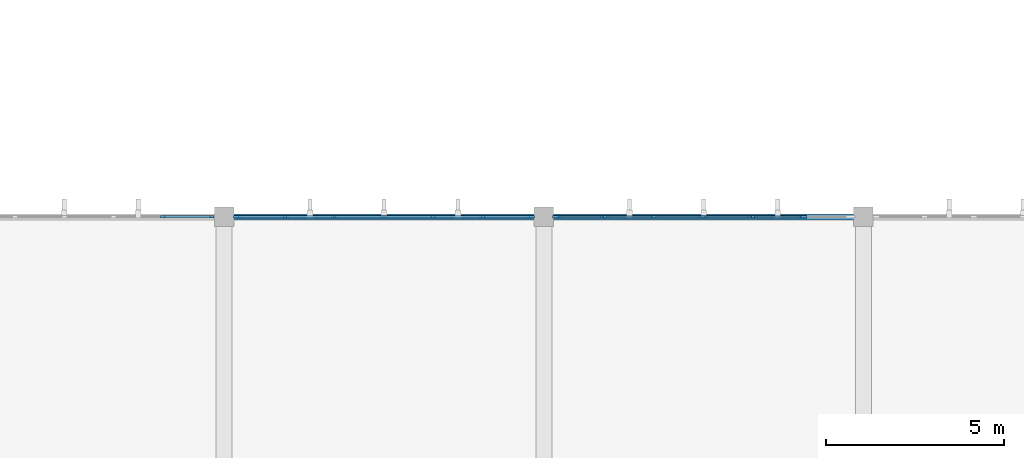
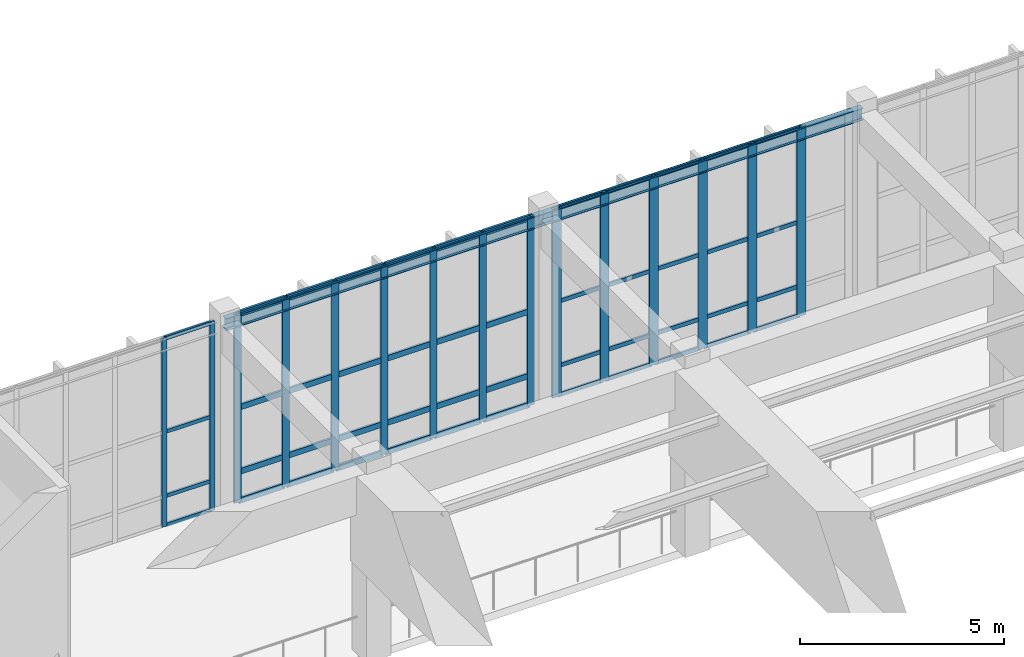
# One storey, part 42 of 105: 63 members, 2 beams, 3 elements without a shape of their own.
"""IFC4 building model written with IfcOpenShell, lengths in metres."""

from ifc_helpers import new_model, si_unit, direction, frame, origin, origin_2d, place, context, subcontext, project, spatial, rectangle, i_section, extrude, material, material_profile, profile_set, type_object, element, aggregate, save


model = new_model("IFC4")

# Units and contexts
model_context = context("Model", 3, precision=1e-05, world=origin(), true_north=direction((0.0, 1.0)))
body_context = subcontext(model_context, "Body", "Model", "MODEL_VIEW")
ifc_project = project(units=[si_unit("LENGTHUNIT", "METRE"), si_unit("AREAUNIT", "SQUARE_METRE"), si_unit("VOLUMEUNIT", "CUBIC_METRE"), si_unit("PLANEANGLEUNIT", "RADIAN"), si_unit("MASSUNIT", "GRAM", prefix="KILO")], contexts=[model_context])

# Site, building, storey
site_placement = place(None, origin())
site = spatial("IfcSite", under=ifc_project, at=site_placement, CompositionType="ELEMENT")
building_placement = place(site_placement, origin())
building = spatial("IfcBuilding", under=site, at=building_placement, Name="Tizgana Railside Sports Hall", CompositionType="ELEMENT")
storey_placement = place(building_placement, frame((0.0, 0.0, 6.0)))
storey = spatial("IfcBuildingStorey", under=building, at=storey_placement, Name="L01", CompositionType="ELEMENT", Elevation=6.0)

# Curtain wall, members
ifc_material_1 = material(Name="Anodised aluminium and glass", Category="aluminium")
curtain_wall_type_1 = type_object("IfcCurtainWallType", Name="Unitised Curtain Wall Studio 1400", PredefinedType="NOTDEFINED", material=ifc_material_1)
curtain_wall_1_placement = place(storey_placement, origin())
curtain_wall_1 = element("IfcCurtainWall", 1, at=curtain_wall_1_placement, inside=storey, type_object=curtain_wall_type_1, Name="L01 Curtain Wall CW-0018", PredefinedType="NOTDEFINED")
ifc_material_2 = material(Name="Anodised aluminium", Category="aluminium")
ifc_material_profile_1 = material_profile(ifc_material_2, rectangle(XDim=0.06005859375, YDim=0.139892578125, at=origin_2d()), Name="Mullion 60x140")
ifc_profile_set_1 = profile_set([ifc_material_profile_1], Name="Anodised aluminium")
member_type_1 = type_object("IfcMemberType", Name="Mullion 60x140", PredefinedType="MULLION", material=ifc_profile_set_1)
member_1_placement = place(storey_placement, frame((96.080078125, 80.39990234375, 0.0), z_axis=(0.0, 0.0, 1.0), x_axis=(0.0, 1.0, 0.0)))
member_1 = element("IfcMember", 2, at=member_1_placement, type_object=member_type_1, Name="CW-03 mullion 6", PredefinedType="MULLION", context=body_context, shape_type="SweptSolid", body=[
    extrude(rectangle(XDim=0.06005859375, YDim=0.139892578125, at=origin_2d()), origin(), (0.0, 0.0, 1.0), 5.639892578125),
])
member_2_placement = place(storey_placement, frame((97.43994140625, 80.39990234375, 0.0), z_axis=(0.0, 0.0, 1.0), x_axis=(0.0, 1.0, 0.0)))
member_2 = element("IfcMember", 3, at=member_2_placement, type_object=member_type_1, Name="CW-03 mullion 7", PredefinedType="MULLION", context=body_context, shape_type="SweptSolid", body=[
    extrude(rectangle(XDim=0.06005859375, YDim=0.139892578125, at=origin_2d()), origin(), (0.0, 0.0, 1.0), 5.639892578125),
])

curtain_wall_type_2 = type_object("IfcCurtainWallType", Name="Unitised Curtain Wall Passage 1800", PredefinedType="NOTDEFINED", material=ifc_material_1)
curtain_wall_2_placement = place(storey_placement, origin())
curtain_wall_2 = element("IfcCurtainWall", 4, at=curtain_wall_2_placement, inside=storey, type_object=curtain_wall_type_2, Name="L01 Curtain Wall CW-0021", PredefinedType="NOTDEFINED")
ifc_material_profile_2 = material_profile(ifc_material_2, rectangle(XDim=0.06494140625, YDim=0.199951171875, at=origin_2d()), Name="Mullion 65x200")
ifc_profile_set_2 = profile_set([ifc_material_profile_2], Name="Anodised aluminium")
member_type_2 = type_object("IfcMemberType", Name="Mullion 65x200", PredefinedType="MULLION", material=ifc_profile_set_2)
member_3_placement = place(storey_placement, frame((98.16259765625, 80.39990234375, 0.0), z_axis=(0.0, 0.0, 1.0), x_axis=(0.0, 1.0, 0.0)))
member_3 = element("IfcMember", 5, at=member_3_placement, type_object=member_type_2, Name="CW-06 mullion 1", PredefinedType="MULLION", context=body_context, shape_type="SweptSolid", body=[
    extrude(rectangle(XDim=0.06494140625, YDim=0.199951171875, at=origin_2d()), origin(), (0.0, 0.0, 1.0), 5.639892578125),
])
member_4_placement = place(storey_placement, frame((99.52001953125, 80.39990234375, 0.0), z_axis=(0.0, 0.0, 1.0), x_axis=(0.0, 1.0, 0.0)))
member_4 = element("IfcMember", 6, at=member_4_placement, type_object=member_type_2, Name="CW-06 mullion 2", PredefinedType="MULLION", context=body_context, shape_type="SweptSolid", body=[
    extrude(rectangle(XDim=0.06494140625, YDim=0.199951171875, at=origin_2d()), origin(), (0.0, 0.0, 1.0), 5.639892578125),
])
member_5_placement = place(storey_placement, frame((100.909912109375, 80.39990234375, 0.0), z_axis=(0.0, 0.0, 1.0), x_axis=(0.0, 1.0, 0.0)))
member_5 = element("IfcMember", 7, at=member_5_placement, type_object=member_type_2, Name="CW-06 mullion 3", PredefinedType="MULLION", context=body_context, shape_type="SweptSolid", body=[
    extrude(rectangle(XDim=0.06494140625, YDim=0.199951171875, at=origin_2d()), origin(), (0.0, 0.0, 1.0), 5.639892578125),
])
member_6_placement = place(storey_placement, frame((102.300048828125, 80.39990234375, 0.0), z_axis=(0.0, 0.0, 1.0), x_axis=(0.0, 1.0, 0.0)))
member_6 = element("IfcMember", 8, at=member_6_placement, type_object=member_type_2, Name="CW-06 mullion 4", PredefinedType="MULLION", context=body_context, shape_type="SweptSolid", body=[
    extrude(rectangle(XDim=0.06494140625, YDim=0.199951171875, at=origin_2d()), origin(), (0.0, 0.0, 1.0), 5.639892578125),
])
member_7_placement = place(storey_placement, frame((103.68994140625, 80.39990234375, 0.0), z_axis=(0.0, 0.0, 1.0), x_axis=(0.0, 1.0, 0.0)))
member_7 = element("IfcMember", 9, at=member_7_placement, type_object=member_type_2, Name="CW-06 mullion 5", PredefinedType="MULLION", context=body_context, shape_type="SweptSolid", body=[
    extrude(rectangle(XDim=0.06494140625, YDim=0.199951171875, at=origin_2d()), origin(), (0.0, 0.0, 1.0), 5.639892578125),
])
member_8_placement = place(storey_placement, frame((105.080078125, 80.39990234375, 0.0), z_axis=(0.0, 0.0, 1.0), x_axis=(0.0, 1.0, 0.0)))
member_8 = element("IfcMember", 10, at=member_8_placement, type_object=member_type_2, Name="CW-06 mullion 6", PredefinedType="MULLION", context=body_context, shape_type="SweptSolid", body=[
    extrude(rectangle(XDim=0.06494140625, YDim=0.199951171875, at=origin_2d()), origin(), (0.0, 0.0, 1.0), 5.639892578125),
])
member_9_placement = place(storey_placement, frame((106.4375, 80.39990234375, 0.0), z_axis=(0.0, 0.0, 1.0), x_axis=(0.0, 1.0, 0.0)))
member_9 = element("IfcMember", 11, at=member_9_placement, type_object=member_type_2, Name="CW-06 mullion 7", PredefinedType="MULLION", context=body_context, shape_type="SweptSolid", body=[
    extrude(rectangle(XDim=0.06494140625, YDim=0.199951171875, at=origin_2d()), origin(), (0.0, 0.0, 1.0), 5.639892578125),
])

curtain_wall_type_3 = type_object("IfcCurtainWallType", Name="Unitised Curtain Wall EastHall 1500", PredefinedType="NOTDEFINED", material=ifc_material_1)
curtain_wall_3_placement = place(storey_placement, origin())
curtain_wall_3 = element("IfcCurtainWall", 12, at=curtain_wall_3_placement, inside=storey, type_object=curtain_wall_type_3, Name="L01 Curtain Wall CW-0023", PredefinedType="NOTDEFINED")
ifc_material_profile_3 = material_profile(ifc_material_2, rectangle(XDim=0.074951171875, YDim=0.25, at=origin_2d()), Name="Mullion 75x250")
ifc_profile_set_3 = profile_set([ifc_material_profile_3], Name="Anodised aluminium")
member_type_3 = type_object("IfcMemberType", Name="Mullion 75x250", PredefinedType="MULLION", material=ifc_profile_set_3)
member_10_placement = place(storey_placement, frame((107.16748046875, 80.39990234375, 0.0), z_axis=(0.0, 0.0, 1.0), x_axis=(0.0, 1.0, 0.0)))
member_10 = element("IfcMember", 13, at=member_10_placement, type_object=member_type_3, Name="CW-08 mullion 1", PredefinedType="MULLION", context=body_context, shape_type="SweptSolid", body=[
    extrude(rectangle(XDim=0.074951171875, YDim=0.25, at=origin_2d()), origin(), (0.0, 0.0, 1.0), 5.639892578125),
])
member_11_placement = place(storey_placement, frame((108.52001953125, 80.39990234375, 0.0), z_axis=(0.0, 0.0, 1.0), x_axis=(0.0, 1.0, 0.0)))
member_11 = element("IfcMember", 14, at=member_11_placement, type_object=member_type_3, Name="CW-08 mullion 2", PredefinedType="MULLION", context=body_context, shape_type="SweptSolid", body=[
    extrude(rectangle(XDim=0.074951171875, YDim=0.25, at=origin_2d()), origin(), (0.0, 0.0, 1.0), 5.639892578125),
])
member_12_placement = place(storey_placement, frame((109.909912109375, 80.39990234375, 0.0), z_axis=(0.0, 0.0, 1.0), x_axis=(0.0, 1.0, 0.0)))
member_12 = element("IfcMember", 15, at=member_12_placement, type_object=member_type_3, Name="CW-08 mullion 3", PredefinedType="MULLION", context=body_context, shape_type="SweptSolid", body=[
    extrude(rectangle(XDim=0.074951171875, YDim=0.25, at=origin_2d()), origin(), (0.0, 0.0, 1.0), 5.639892578125),
])
member_13_placement = place(storey_placement, frame((111.300048828125, 80.39990234375, 0.0), z_axis=(0.0, 0.0, 1.0), x_axis=(0.0, 1.0, 0.0)))
member_13 = element("IfcMember", 16, at=member_13_placement, type_object=member_type_3, Name="CW-08 mullion 4", PredefinedType="MULLION", context=body_context, shape_type="SweptSolid", body=[
    extrude(rectangle(XDim=0.074951171875, YDim=0.25, at=origin_2d()), origin(), (0.0, 0.0, 1.0), 5.639892578125),
])
member_14_placement = place(storey_placement, frame((112.68994140625, 80.39990234375, 0.0), z_axis=(0.0, 0.0, 1.0), x_axis=(0.0, 1.0, 0.0)))
member_14 = element("IfcMember", 17, at=member_14_placement, type_object=member_type_3, Name="CW-08 mullion 5", PredefinedType="MULLION", context=body_context, shape_type="SweptSolid", body=[
    extrude(rectangle(XDim=0.074951171875, YDim=0.25, at=origin_2d()), origin(), (0.0, 0.0, 1.0), 5.639892578125),
])
member_15_placement = place(storey_placement, frame((114.080078125, 80.39990234375, 0.0), z_axis=(0.0, 0.0, 1.0), x_axis=(0.0, 1.0, 0.0)))
member_15 = element("IfcMember", 18, at=member_15_placement, type_object=member_type_3, Name="CW-08 mullion 6", PredefinedType="MULLION", context=body_context, shape_type="SweptSolid", body=[
    extrude(rectangle(XDim=0.074951171875, YDim=0.25, at=origin_2d()), origin(), (0.0, 0.0, 1.0), 5.639892578125),
])

# Beams
ifc_material_3 = material(Name="Steel S355J2", Category="steel")
ifc_material_profile_4 = material_profile(ifc_material_3, i_section(OverallWidth=0.169921875, OverallDepth=0.360107421875, WebThickness=0.008056640625, FlangeThickness=0.0126953125, FilletRadius=0.01806640625, at=origin_2d()), Name="IPE 360")
ifc_profile_set_4 = profile_set([ifc_material_profile_4], Name="Steel S355J2")
beam_type = type_object("IfcBeamType", Name="Steel Joist IPE 360", PredefinedType="JOIST", material=ifc_profile_set_4)
for number, where, z_axis, x_axis, name in (
    (19, (97.800048828125, 80.39990234375, 5.4560546875), (1.0, 0.0, 0.0), (0.0, 1.0, 0.0), "L01 BEM-0291"),
    (20, (106.800048828125, 80.39990234375, 5.4560546875), (1.0, 0.0, 0.0), (0.0, 1.0, 0.0), "L01 BEM-0303"),
):
    element("IfcBeam", number, at=place(storey_placement, frame(where, z_axis=z_axis, x_axis=x_axis)), inside=storey, type_object=beam_type, Name=name, PredefinedType="JOIST", context=body_context, shape_type="SweptSolid", body=[
        extrude(i_section(OverallWidth=0.169921875, OverallDepth=0.360107421875, WebThickness=0.008056640625, FlangeThickness=0.0126953125, FilletRadius=0.01806640625, at=origin_2d()), origin(), (0.0, 0.0, 1.0), 9.0),
    ])

# Member
ifc_material_profile_5 = material_profile(ifc_material_2, rectangle(XDim=0.054931640625, YDim=0.1201171875, at=origin_2d()), Name="Transom 55x120")
ifc_profile_set_5 = profile_set([ifc_material_profile_5], Name="Anodised aluminium")
member_type_4 = type_object("IfcMemberType", Name="Transom 55x120", PredefinedType="USERDEFINED", material=ifc_profile_set_5)
member_16_placement = place(storey_placement, frame((107.205078125, 80.39990234375, 0.027587890625), z_axis=(1.0, 0.0, 0.0), x_axis=(0.0, 1.0, 0.0)))
member_16 = element("IfcMember", 21, at=member_16_placement, type_object=member_type_4, Name="CW-08 transom 1.1", ObjectType="TRANSOM", PredefinedType="USERDEFINED", context=body_context, shape_type="SweptSolid", body=[
    extrude(rectangle(XDim=0.054931640625, YDim=0.1201171875, at=origin_2d()), origin(), (0.0, 0.0, 1.0), 1.27734375),
])

member_17_placement = place(storey_placement, frame((107.205078125, 80.39990234375, 0.89990234375), z_axis=(1.0, 0.0, 0.0), x_axis=(0.0, 1.0, 0.0)))
member_17 = element("IfcMember", 22, at=member_17_placement, type_object=member_type_4, Name="CW-08 transom 1.2", ObjectType="TRANSOM", PredefinedType="USERDEFINED", context=body_context, shape_type="SweptSolid", body=[
    extrude(rectangle(XDim=0.054931640625, YDim=0.1201171875, at=origin_2d()), origin(), (0.0, 0.0, 1.0), 1.27734375),
])

member_18_placement = place(storey_placement, frame((107.205078125, 80.39990234375, 2.820068359375), z_axis=(1.0, 0.0, 0.0), x_axis=(0.0, 1.0, 0.0)))
member_18 = element("IfcMember", 23, at=member_18_placement, type_object=member_type_4, Name="CW-08 transom 1.3", ObjectType="TRANSOM", PredefinedType="USERDEFINED", context=body_context, shape_type="SweptSolid", body=[
    extrude(rectangle(XDim=0.054931640625, YDim=0.1201171875, at=origin_2d()), origin(), (0.0, 0.0, 1.0), 1.27734375),
])

member_19_placement = place(storey_placement, frame((107.205078125, 80.39990234375, 5.612548828125), z_axis=(1.0, 0.0, 0.0), x_axis=(0.0, 1.0, 0.0)))
member_19 = element("IfcMember", 24, at=member_19_placement, type_object=member_type_4, Name="CW-08 transom 1.4", ObjectType="TRANSOM", PredefinedType="USERDEFINED", context=body_context, shape_type="SweptSolid", body=[
    extrude(rectangle(XDim=0.054931640625, YDim=0.1201171875, at=origin_2d()), origin(), (0.0, 0.0, 1.0), 1.27734375),
])

member_20_placement = place(storey_placement, frame((108.5576171875, 80.39990234375, 0.027587890625), z_axis=(1.0, 0.0, 0.0), x_axis=(0.0, 1.0, 0.0)))
member_20 = element("IfcMember", 25, at=member_20_placement, type_object=member_type_4, Name="CW-08 transom 2.1", ObjectType="TRANSOM", PredefinedType="USERDEFINED", context=body_context, shape_type="SweptSolid", body=[
    extrude(rectangle(XDim=0.054931640625, YDim=0.1201171875, at=origin_2d()), origin(), (0.0, 0.0, 1.0), 1.31494140625),
])

member_21_placement = place(storey_placement, frame((108.5576171875, 80.39990234375, 0.89990234375), z_axis=(1.0, 0.0, 0.0), x_axis=(0.0, 1.0, 0.0)))
member_21 = element("IfcMember", 26, at=member_21_placement, type_object=member_type_4, Name="CW-08 transom 2.2", ObjectType="TRANSOM", PredefinedType="USERDEFINED", context=body_context, shape_type="SweptSolid", body=[
    extrude(rectangle(XDim=0.054931640625, YDim=0.1201171875, at=origin_2d()), origin(), (0.0, 0.0, 1.0), 1.31494140625),
])

member_22_placement = place(storey_placement, frame((108.5576171875, 80.39990234375, 2.820068359375), z_axis=(1.0, 0.0, 0.0), x_axis=(0.0, 1.0, 0.0)))
member_22 = element("IfcMember", 27, at=member_22_placement, type_object=member_type_4, Name="CW-08 transom 2.3", ObjectType="TRANSOM", PredefinedType="USERDEFINED", context=body_context, shape_type="SweptSolid", body=[
    extrude(rectangle(XDim=0.054931640625, YDim=0.1201171875, at=origin_2d()), origin(), (0.0, 0.0, 1.0), 1.31494140625),
])

member_23_placement = place(storey_placement, frame((108.5576171875, 80.39990234375, 5.612548828125), z_axis=(1.0, 0.0, 0.0), x_axis=(0.0, 1.0, 0.0)))
member_23 = element("IfcMember", 28, at=member_23_placement, type_object=member_type_4, Name="CW-08 transom 2.4", ObjectType="TRANSOM", PredefinedType="USERDEFINED", context=body_context, shape_type="SweptSolid", body=[
    extrude(rectangle(XDim=0.054931640625, YDim=0.1201171875, at=origin_2d()), origin(), (0.0, 0.0, 1.0), 1.31494140625),
])

member_24_placement = place(storey_placement, frame((109.947509765625, 80.39990234375, 0.027587890625), z_axis=(1.0, 0.0, 0.0), x_axis=(0.0, 1.0, 0.0)))
member_24 = element("IfcMember", 29, at=member_24_placement, type_object=member_type_4, Name="CW-08 transom 3.1", ObjectType="TRANSOM", PredefinedType="USERDEFINED", context=body_context, shape_type="SweptSolid", body=[
    extrude(rectangle(XDim=0.054931640625, YDim=0.1201171875, at=origin_2d()), origin(), (0.0, 0.0, 1.0), 1.31494140625),
])

member_25_placement = place(storey_placement, frame((109.947509765625, 80.39990234375, 0.89990234375), z_axis=(1.0, 0.0, 0.0), x_axis=(0.0, 1.0, 0.0)))
member_25 = element("IfcMember", 30, at=member_25_placement, type_object=member_type_4, Name="CW-08 transom 3.2", ObjectType="TRANSOM", PredefinedType="USERDEFINED", context=body_context, shape_type="SweptSolid", body=[
    extrude(rectangle(XDim=0.054931640625, YDim=0.1201171875, at=origin_2d()), origin(), (0.0, 0.0, 1.0), 1.31494140625),
])

member_26_placement = place(storey_placement, frame((109.947509765625, 80.39990234375, 2.820068359375), z_axis=(1.0, 0.0, 0.0), x_axis=(0.0, 1.0, 0.0)))
member_26 = element("IfcMember", 31, at=member_26_placement, type_object=member_type_4, Name="CW-08 transom 3.3", ObjectType="TRANSOM", PredefinedType="USERDEFINED", context=body_context, shape_type="SweptSolid", body=[
    extrude(rectangle(XDim=0.054931640625, YDim=0.1201171875, at=origin_2d()), origin(), (0.0, 0.0, 1.0), 1.31494140625),
])

member_27_placement = place(storey_placement, frame((109.947509765625, 80.39990234375, 5.612548828125), z_axis=(1.0, 0.0, 0.0), x_axis=(0.0, 1.0, 0.0)))
member_27 = element("IfcMember", 32, at=member_27_placement, type_object=member_type_4, Name="CW-08 transom 3.4", ObjectType="TRANSOM", PredefinedType="USERDEFINED", context=body_context, shape_type="SweptSolid", body=[
    extrude(rectangle(XDim=0.054931640625, YDim=0.1201171875, at=origin_2d()), origin(), (0.0, 0.0, 1.0), 1.31494140625),
])

member_28_placement = place(storey_placement, frame((111.33740234375, 80.39990234375, 0.027587890625), z_axis=(1.0, 0.0, 0.0), x_axis=(0.0, 1.0, 0.0)))
member_28 = element("IfcMember", 33, at=member_28_placement, type_object=member_type_4, Name="CW-08 transom 4.1", ObjectType="TRANSOM", PredefinedType="USERDEFINED", context=body_context, shape_type="SweptSolid", body=[
    extrude(rectangle(XDim=0.054931640625, YDim=0.1201171875, at=origin_2d()), origin(), (0.0, 0.0, 1.0), 1.315185546875),
])

member_29_placement = place(storey_placement, frame((111.33740234375, 80.39990234375, 0.89990234375), z_axis=(1.0, 0.0, 0.0), x_axis=(0.0, 1.0, 0.0)))
member_29 = element("IfcMember", 34, at=member_29_placement, type_object=member_type_4, Name="CW-08 transom 4.2", ObjectType="TRANSOM", PredefinedType="USERDEFINED", context=body_context, shape_type="SweptSolid", body=[
    extrude(rectangle(XDim=0.054931640625, YDim=0.1201171875, at=origin_2d()), origin(), (0.0, 0.0, 1.0), 1.315185546875),
])

member_30_placement = place(storey_placement, frame((111.33740234375, 80.39990234375, 2.820068359375), z_axis=(1.0, 0.0, 0.0), x_axis=(0.0, 1.0, 0.0)))
member_30 = element("IfcMember", 35, at=member_30_placement, type_object=member_type_4, Name="CW-08 transom 4.3", ObjectType="TRANSOM", PredefinedType="USERDEFINED", context=body_context, shape_type="SweptSolid", body=[
    extrude(rectangle(XDim=0.054931640625, YDim=0.1201171875, at=origin_2d()), origin(), (0.0, 0.0, 1.0), 1.315185546875),
])

member_31_placement = place(storey_placement, frame((111.33740234375, 80.39990234375, 5.612548828125), z_axis=(1.0, 0.0, 0.0), x_axis=(0.0, 1.0, 0.0)))
member_31 = element("IfcMember", 36, at=member_31_placement, type_object=member_type_4, Name="CW-08 transom 4.4", ObjectType="TRANSOM", PredefinedType="USERDEFINED", context=body_context, shape_type="SweptSolid", body=[
    extrude(rectangle(XDim=0.054931640625, YDim=0.1201171875, at=origin_2d()), origin(), (0.0, 0.0, 1.0), 1.315185546875),
])

member_32_placement = place(storey_placement, frame((112.7275390625, 80.39990234375, 0.027587890625), z_axis=(1.0, 0.0, 0.0), x_axis=(0.0, 1.0, 0.0)))
member_32 = element("IfcMember", 37, at=member_32_placement, type_object=member_type_4, Name="CW-08 transom 5.1", ObjectType="TRANSOM", PredefinedType="USERDEFINED", context=body_context, shape_type="SweptSolid", body=[
    extrude(rectangle(XDim=0.054931640625, YDim=0.1201171875, at=origin_2d()), origin(), (0.0, 0.0, 1.0), 1.31494140625),
])

member_33_placement = place(storey_placement, frame((112.7275390625, 80.39990234375, 0.89990234375), z_axis=(1.0, 0.0, 0.0), x_axis=(0.0, 1.0, 0.0)))
member_33 = element("IfcMember", 38, at=member_33_placement, type_object=member_type_4, Name="CW-08 transom 5.2", ObjectType="TRANSOM", PredefinedType="USERDEFINED", context=body_context, shape_type="SweptSolid", body=[
    extrude(rectangle(XDim=0.054931640625, YDim=0.1201171875, at=origin_2d()), origin(), (0.0, 0.0, 1.0), 1.31494140625),
])

member_34_placement = place(storey_placement, frame((112.7275390625, 80.39990234375, 2.820068359375), z_axis=(1.0, 0.0, 0.0), x_axis=(0.0, 1.0, 0.0)))
member_34 = element("IfcMember", 39, at=member_34_placement, type_object=member_type_4, Name="CW-08 transom 5.3", ObjectType="TRANSOM", PredefinedType="USERDEFINED", context=body_context, shape_type="SweptSolid", body=[
    extrude(rectangle(XDim=0.054931640625, YDim=0.1201171875, at=origin_2d()), origin(), (0.0, 0.0, 1.0), 1.31494140625),
])

member_35_placement = place(storey_placement, frame((112.7275390625, 80.39990234375, 5.612548828125), z_axis=(1.0, 0.0, 0.0), x_axis=(0.0, 1.0, 0.0)))
member_35 = element("IfcMember", 40, at=member_35_placement, type_object=member_type_4, Name="CW-08 transom 5.4", ObjectType="TRANSOM", PredefinedType="USERDEFINED", context=body_context, shape_type="SweptSolid", body=[
    extrude(rectangle(XDim=0.054931640625, YDim=0.1201171875, at=origin_2d()), origin(), (0.0, 0.0, 1.0), 1.31494140625),
])

aggregate(curtain_wall_3, [member_10, member_11, member_12, member_13, member_14, member_15, member_16, member_17, member_18, member_19, member_20, member_21, member_22, member_23, member_24, member_25, member_26, member_27, member_28, member_29, member_30, member_31, member_32, member_33, member_34, member_35])

ifc_material_profile_6 = material_profile(ifc_material_2, rectangle(XDim=0.06005859375, YDim=0.110107421875, at=origin_2d()), Name="Transom 60x110")
ifc_profile_set_6 = profile_set([ifc_material_profile_6], Name="Anodised aluminium")
member_type_5 = type_object("IfcMemberType", Name="Transom 60x110", PredefinedType="USERDEFINED", material=ifc_profile_set_6)
member_36_placement = place(storey_placement, frame((96.110107421875, 80.39990234375, 0.030029296875), z_axis=(1.0, 0.0, 0.0), x_axis=(0.0, 1.0, 0.0)))
member_36 = element("IfcMember", 41, at=member_36_placement, type_object=member_type_5, Name="CW-03 transom 6.1", ObjectType="TRANSOM", PredefinedType="USERDEFINED", context=body_context, shape_type="SweptSolid", body=[
    extrude(rectangle(XDim=0.06005859375, YDim=0.110107421875, at=origin_2d()), origin(), (0.0, 0.0, 1.0), 1.2998046875),
])

member_37_placement = place(storey_placement, frame((96.110107421875, 80.39990234375, 0.89990234375), z_axis=(1.0, 0.0, 0.0), x_axis=(0.0, 1.0, 0.0)))
member_37 = element("IfcMember", 42, at=member_37_placement, type_object=member_type_5, Name="CW-03 transom 6.2", ObjectType="TRANSOM", PredefinedType="USERDEFINED", context=body_context, shape_type="SweptSolid", body=[
    extrude(rectangle(XDim=0.06005859375, YDim=0.110107421875, at=origin_2d()), origin(), (0.0, 0.0, 1.0), 1.2998046875),
])

member_38_placement = place(storey_placement, frame((96.110107421875, 80.39990234375, 2.820068359375), z_axis=(1.0, 0.0, 0.0), x_axis=(0.0, 1.0, 0.0)))
member_38 = element("IfcMember", 43, at=member_38_placement, type_object=member_type_5, Name="CW-03 transom 6.3", ObjectType="TRANSOM", PredefinedType="USERDEFINED", context=body_context, shape_type="SweptSolid", body=[
    extrude(rectangle(XDim=0.06005859375, YDim=0.110107421875, at=origin_2d()), origin(), (0.0, 0.0, 1.0), 1.2998046875),
])

member_39_placement = place(storey_placement, frame((96.110107421875, 80.39990234375, 5.610107421875), z_axis=(1.0, 0.0, 0.0), x_axis=(0.0, 1.0, 0.0)))
member_39 = element("IfcMember", 44, at=member_39_placement, type_object=member_type_5, Name="CW-03 transom 6.4", ObjectType="TRANSOM", PredefinedType="USERDEFINED", context=body_context, shape_type="SweptSolid", body=[
    extrude(rectangle(XDim=0.06005859375, YDim=0.110107421875, at=origin_2d()), origin(), (0.0, 0.0, 1.0), 1.2998046875),
])

aggregate(curtain_wall_1, [member_1, member_2, member_36, member_37, member_38, member_39])

ifc_material_profile_7 = material_profile(ifc_material_2, rectangle(XDim=0.06494140625, YDim=0.169921875, at=origin_2d()), Name="Transom 65x170")
ifc_profile_set_7 = profile_set([ifc_material_profile_7], Name="Anodised aluminium")
member_type_6 = type_object("IfcMemberType", Name="Transom 65x170", PredefinedType="USERDEFINED", material=ifc_profile_set_7)
member_40_placement = place(storey_placement, frame((98.195068359375, 80.39990234375, 0.032470703125), z_axis=(1.0, 0.0, 0.0), x_axis=(0.0, 1.0, 0.0)))
member_40 = element("IfcMember", 45, at=member_40_placement, type_object=member_type_6, Name="CW-06 transom 1.1", ObjectType="TRANSOM", PredefinedType="USERDEFINED", context=body_context, shape_type="SweptSolid", body=[
    extrude(rectangle(XDim=0.06494140625, YDim=0.169921875, at=origin_2d()), origin(), (0.0, 0.0, 1.0), 1.29248046875),
])

member_41_placement = place(storey_placement, frame((98.195068359375, 80.39990234375, 0.89990234375), z_axis=(1.0, 0.0, 0.0), x_axis=(0.0, 1.0, 0.0)))
member_41 = element("IfcMember", 46, at=member_41_placement, type_object=member_type_6, Name="CW-06 transom 1.2", ObjectType="TRANSOM", PredefinedType="USERDEFINED", context=body_context, shape_type="SweptSolid", body=[
    extrude(rectangle(XDim=0.06494140625, YDim=0.169921875, at=origin_2d()), origin(), (0.0, 0.0, 1.0), 1.29248046875),
])

member_42_placement = place(storey_placement, frame((98.195068359375, 80.39990234375, 2.820068359375), z_axis=(1.0, 0.0, 0.0), x_axis=(0.0, 1.0, 0.0)))
member_42 = element("IfcMember", 47, at=member_42_placement, type_object=member_type_6, Name="CW-06 transom 1.3", ObjectType="TRANSOM", PredefinedType="USERDEFINED", context=body_context, shape_type="SweptSolid", body=[
    extrude(rectangle(XDim=0.06494140625, YDim=0.169921875, at=origin_2d()), origin(), (0.0, 0.0, 1.0), 1.29248046875),
])

member_43_placement = place(storey_placement, frame((98.195068359375, 80.39990234375, 5.607421875), z_axis=(1.0, 0.0, 0.0), x_axis=(0.0, 1.0, 0.0)))
member_43 = element("IfcMember", 48, at=member_43_placement, type_object=member_type_6, Name="CW-06 transom 1.4", ObjectType="TRANSOM", PredefinedType="USERDEFINED", context=body_context, shape_type="SweptSolid", body=[
    extrude(rectangle(XDim=0.06494140625, YDim=0.169921875, at=origin_2d()), origin(), (0.0, 0.0, 1.0), 1.29248046875),
])

member_44_placement = place(storey_placement, frame((99.552490234375, 80.39990234375, 0.032470703125), z_axis=(1.0, 0.0, 0.0), x_axis=(0.0, 1.0, 0.0)))
member_44 = element("IfcMember", 49, at=member_44_placement, type_object=member_type_6, Name="CW-06 transom 2.1", ObjectType="TRANSOM", PredefinedType="USERDEFINED", context=body_context, shape_type="SweptSolid", body=[
    extrude(rectangle(XDim=0.06494140625, YDim=0.169921875, at=origin_2d()), origin(), (0.0, 0.0, 1.0), 1.324951171875),
])

member_45_placement = place(storey_placement, frame((99.552490234375, 80.39990234375, 0.89990234375), z_axis=(1.0, 0.0, 0.0), x_axis=(0.0, 1.0, 0.0)))
member_45 = element("IfcMember", 50, at=member_45_placement, type_object=member_type_6, Name="CW-06 transom 2.2", ObjectType="TRANSOM", PredefinedType="USERDEFINED", context=body_context, shape_type="SweptSolid", body=[
    extrude(rectangle(XDim=0.06494140625, YDim=0.169921875, at=origin_2d()), origin(), (0.0, 0.0, 1.0), 1.324951171875),
])

member_46_placement = place(storey_placement, frame((99.552490234375, 80.39990234375, 2.820068359375), z_axis=(1.0, 0.0, 0.0), x_axis=(0.0, 1.0, 0.0)))
member_46 = element("IfcMember", 51, at=member_46_placement, type_object=member_type_6, Name="CW-06 transom 2.3", ObjectType="TRANSOM", PredefinedType="USERDEFINED", context=body_context, shape_type="SweptSolid", body=[
    extrude(rectangle(XDim=0.06494140625, YDim=0.169921875, at=origin_2d()), origin(), (0.0, 0.0, 1.0), 1.324951171875),
])

member_47_placement = place(storey_placement, frame((99.552490234375, 80.39990234375, 5.607421875), z_axis=(1.0, 0.0, 0.0), x_axis=(0.0, 1.0, 0.0)))
member_47 = element("IfcMember", 52, at=member_47_placement, type_object=member_type_6, Name="CW-06 transom 2.4", ObjectType="TRANSOM", PredefinedType="USERDEFINED", context=body_context, shape_type="SweptSolid", body=[
    extrude(rectangle(XDim=0.06494140625, YDim=0.169921875, at=origin_2d()), origin(), (0.0, 0.0, 1.0), 1.324951171875),
])

member_48_placement = place(storey_placement, frame((100.9423828125, 80.39990234375, 0.032470703125), z_axis=(1.0, 0.0, 0.0), x_axis=(0.0, 1.0, 0.0)))
member_48 = element("IfcMember", 53, at=member_48_placement, type_object=member_type_6, Name="CW-06 transom 3.1", ObjectType="TRANSOM", PredefinedType="USERDEFINED", context=body_context, shape_type="SweptSolid", body=[
    extrude(rectangle(XDim=0.06494140625, YDim=0.169921875, at=origin_2d()), origin(), (0.0, 0.0, 1.0), 1.3251953125),
])

member_49_placement = place(storey_placement, frame((100.9423828125, 80.39990234375, 0.89990234375), z_axis=(1.0, 0.0, 0.0), x_axis=(0.0, 1.0, 0.0)))
member_49 = element("IfcMember", 54, at=member_49_placement, type_object=member_type_6, Name="CW-06 transom 3.2", ObjectType="TRANSOM", PredefinedType="USERDEFINED", context=body_context, shape_type="SweptSolid", body=[
    extrude(rectangle(XDim=0.06494140625, YDim=0.169921875, at=origin_2d()), origin(), (0.0, 0.0, 1.0), 1.3251953125),
])

member_50_placement = place(storey_placement, frame((100.9423828125, 80.39990234375, 2.820068359375), z_axis=(1.0, 0.0, 0.0), x_axis=(0.0, 1.0, 0.0)))
member_50 = element("IfcMember", 55, at=member_50_placement, type_object=member_type_6, Name="CW-06 transom 3.3", ObjectType="TRANSOM", PredefinedType="USERDEFINED", context=body_context, shape_type="SweptSolid", body=[
    extrude(rectangle(XDim=0.06494140625, YDim=0.169921875, at=origin_2d()), origin(), (0.0, 0.0, 1.0), 1.3251953125),
])

member_51_placement = place(storey_placement, frame((100.9423828125, 80.39990234375, 5.607421875), z_axis=(1.0, 0.0, 0.0), x_axis=(0.0, 1.0, 0.0)))
member_51 = element("IfcMember", 56, at=member_51_placement, type_object=member_type_6, Name="CW-06 transom 3.4", ObjectType="TRANSOM", PredefinedType="USERDEFINED", context=body_context, shape_type="SweptSolid", body=[
    extrude(rectangle(XDim=0.06494140625, YDim=0.169921875, at=origin_2d()), origin(), (0.0, 0.0, 1.0), 1.3251953125),
])

member_52_placement = place(storey_placement, frame((102.33251953125, 80.39990234375, 0.032470703125), z_axis=(1.0, 0.0, 0.0), x_axis=(0.0, 1.0, 0.0)))
member_52 = element("IfcMember", 57, at=member_52_placement, type_object=member_type_6, Name="CW-06 transom 4.1", ObjectType="TRANSOM", PredefinedType="USERDEFINED", context=body_context, shape_type="SweptSolid", body=[
    extrude(rectangle(XDim=0.06494140625, YDim=0.169921875, at=origin_2d()), origin(), (0.0, 0.0, 1.0), 1.324951171875),
])

member_53_placement = place(storey_placement, frame((102.33251953125, 80.39990234375, 0.89990234375), z_axis=(1.0, 0.0, 0.0), x_axis=(0.0, 1.0, 0.0)))
member_53 = element("IfcMember", 58, at=member_53_placement, type_object=member_type_6, Name="CW-06 transom 4.2", ObjectType="TRANSOM", PredefinedType="USERDEFINED", context=body_context, shape_type="SweptSolid", body=[
    extrude(rectangle(XDim=0.06494140625, YDim=0.169921875, at=origin_2d()), origin(), (0.0, 0.0, 1.0), 1.324951171875),
])

member_54_placement = place(storey_placement, frame((102.33251953125, 80.39990234375, 2.820068359375), z_axis=(1.0, 0.0, 0.0), x_axis=(0.0, 1.0, 0.0)))
member_54 = element("IfcMember", 59, at=member_54_placement, type_object=member_type_6, Name="CW-06 transom 4.3", ObjectType="TRANSOM", PredefinedType="USERDEFINED", context=body_context, shape_type="SweptSolid", body=[
    extrude(rectangle(XDim=0.06494140625, YDim=0.169921875, at=origin_2d()), origin(), (0.0, 0.0, 1.0), 1.324951171875),
])

member_55_placement = place(storey_placement, frame((102.33251953125, 80.39990234375, 5.607421875), z_axis=(1.0, 0.0, 0.0), x_axis=(0.0, 1.0, 0.0)))
member_55 = element("IfcMember", 60, at=member_55_placement, type_object=member_type_6, Name="CW-06 transom 4.4", ObjectType="TRANSOM", PredefinedType="USERDEFINED", context=body_context, shape_type="SweptSolid", body=[
    extrude(rectangle(XDim=0.06494140625, YDim=0.169921875, at=origin_2d()), origin(), (0.0, 0.0, 1.0), 1.324951171875),
])

member_56_placement = place(storey_placement, frame((103.722412109375, 80.39990234375, 0.032470703125), z_axis=(1.0, 0.0, 0.0), x_axis=(0.0, 1.0, 0.0)))
member_56 = element("IfcMember", 61, at=member_56_placement, type_object=member_type_6, Name="CW-06 transom 5.1", ObjectType="TRANSOM", PredefinedType="USERDEFINED", context=body_context, shape_type="SweptSolid", body=[
    extrude(rectangle(XDim=0.06494140625, YDim=0.169921875, at=origin_2d()), origin(), (0.0, 0.0, 1.0), 1.3251953125),
])

member_57_placement = place(storey_placement, frame((103.722412109375, 80.39990234375, 0.89990234375), z_axis=(1.0, 0.0, 0.0), x_axis=(0.0, 1.0, 0.0)))
member_57 = element("IfcMember", 62, at=member_57_placement, type_object=member_type_6, Name="CW-06 transom 5.2", ObjectType="TRANSOM", PredefinedType="USERDEFINED", context=body_context, shape_type="SweptSolid", body=[
    extrude(rectangle(XDim=0.06494140625, YDim=0.169921875, at=origin_2d()), origin(), (0.0, 0.0, 1.0), 1.3251953125),
])

member_58_placement = place(storey_placement, frame((103.722412109375, 80.39990234375, 2.820068359375), z_axis=(1.0, 0.0, 0.0), x_axis=(0.0, 1.0, 0.0)))
member_58 = element("IfcMember", 63, at=member_58_placement, type_object=member_type_6, Name="CW-06 transom 5.3", ObjectType="TRANSOM", PredefinedType="USERDEFINED", context=body_context, shape_type="SweptSolid", body=[
    extrude(rectangle(XDim=0.06494140625, YDim=0.169921875, at=origin_2d()), origin(), (0.0, 0.0, 1.0), 1.3251953125),
])

member_59_placement = place(storey_placement, frame((103.722412109375, 80.39990234375, 5.607421875), z_axis=(1.0, 0.0, 0.0), x_axis=(0.0, 1.0, 0.0)))
member_59 = element("IfcMember", 64, at=member_59_placement, type_object=member_type_6, Name="CW-06 transom 5.4", ObjectType="TRANSOM", PredefinedType="USERDEFINED", context=body_context, shape_type="SweptSolid", body=[
    extrude(rectangle(XDim=0.06494140625, YDim=0.169921875, at=origin_2d()), origin(), (0.0, 0.0, 1.0), 1.3251953125),
])

member_60_placement = place(storey_placement, frame((105.112548828125, 80.39990234375, 0.032470703125), z_axis=(1.0, 0.0, 0.0), x_axis=(0.0, 1.0, 0.0)))
member_60 = element("IfcMember", 65, at=member_60_placement, type_object=member_type_6, Name="CW-06 transom 6.1", ObjectType="TRANSOM", PredefinedType="USERDEFINED", context=body_context, shape_type="SweptSolid", body=[
    extrude(rectangle(XDim=0.06494140625, YDim=0.169921875, at=origin_2d()), origin(), (0.0, 0.0, 1.0), 1.29248046875),
])

member_61_placement = place(storey_placement, frame((105.112548828125, 80.39990234375, 0.89990234375), z_axis=(1.0, 0.0, 0.0), x_axis=(0.0, 1.0, 0.0)))
member_61 = element("IfcMember", 66, at=member_61_placement, type_object=member_type_6, Name="CW-06 transom 6.2", ObjectType="TRANSOM", PredefinedType="USERDEFINED", context=body_context, shape_type="SweptSolid", body=[
    extrude(rectangle(XDim=0.06494140625, YDim=0.169921875, at=origin_2d()), origin(), (0.0, 0.0, 1.0), 1.29248046875),
])

member_62_placement = place(storey_placement, frame((105.112548828125, 80.39990234375, 2.820068359375), z_axis=(1.0, 0.0, 0.0), x_axis=(0.0, 1.0, 0.0)))
member_62 = element("IfcMember", 67, at=member_62_placement, type_object=member_type_6, Name="CW-06 transom 6.3", ObjectType="TRANSOM", PredefinedType="USERDEFINED", context=body_context, shape_type="SweptSolid", body=[
    extrude(rectangle(XDim=0.06494140625, YDim=0.169921875, at=origin_2d()), origin(), (0.0, 0.0, 1.0), 1.29248046875),
])

member_63_placement = place(storey_placement, frame((105.112548828125, 80.39990234375, 5.607421875), z_axis=(1.0, 0.0, 0.0), x_axis=(0.0, 1.0, 0.0)))
member_63 = element("IfcMember", 68, at=member_63_placement, type_object=member_type_6, Name="CW-06 transom 6.4", ObjectType="TRANSOM", PredefinedType="USERDEFINED", context=body_context, shape_type="SweptSolid", body=[
    extrude(rectangle(XDim=0.06494140625, YDim=0.169921875, at=origin_2d()), origin(), (0.0, 0.0, 1.0), 1.29248046875),
])

aggregate(curtain_wall_2, [member_3, member_4, member_5, member_6, member_7, member_8, member_9, member_40, member_41, member_42, member_43, member_44, member_45, member_46, member_47, member_48, member_49, member_50, member_51, member_52, member_53, member_54, member_55, member_56, member_57, member_58, member_59, member_60, member_61, member_62, member_63])

save(model, "model.ifc")
